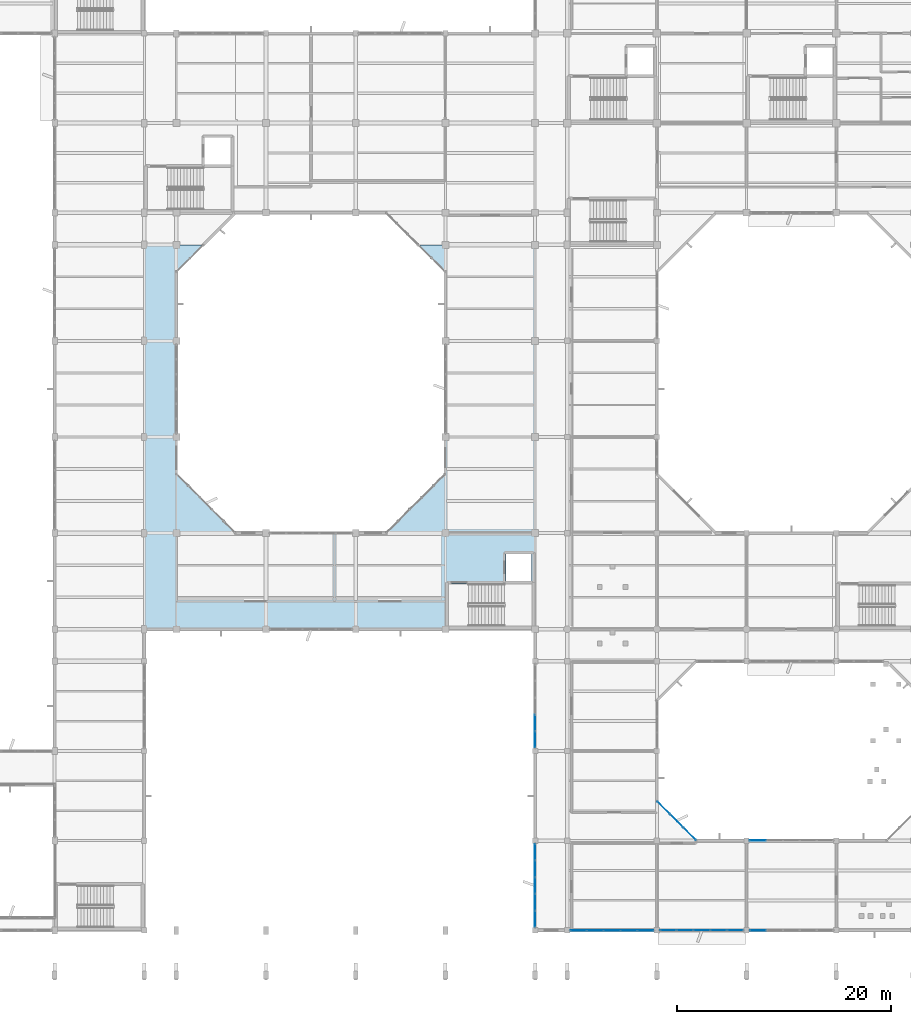
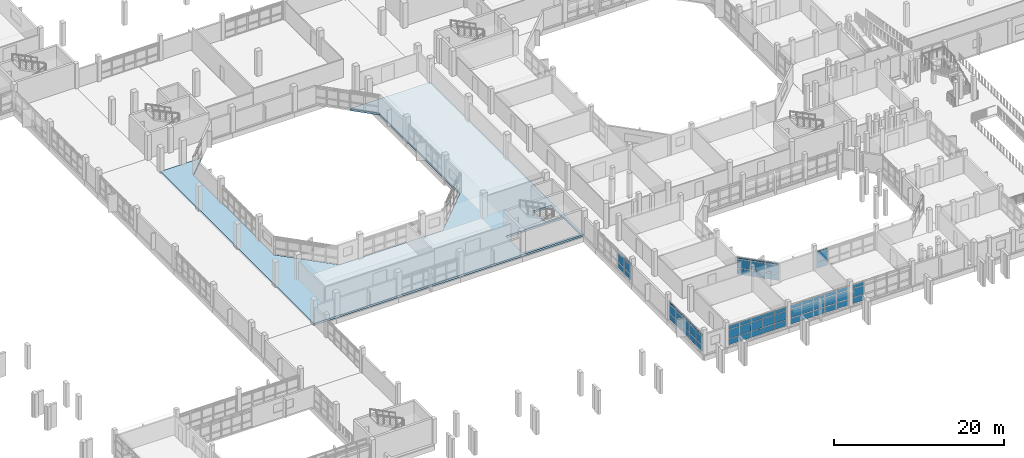
# One storey, part 53 of 104: 65 plates, 1 slab, 7 elements without a shape of their own.
"""IFC4 building model written with IfcOpenShell, lengths in metres."""

from ifc_helpers import new_model, si_unit, direction, frame, origin, origin_2d, place, context, subcontext, project, spatial, polyline, rectangle, outline, extrude, material, layer, layer_set, type_object, element, aggregate, save


model = new_model("IFC4")

# Units and contexts
model_context = context("Model", 3, precision=1e-05, world=origin(), true_north=direction((0.0, 1.0)))
body_context = subcontext(model_context, "Body", "Model", "MODEL_VIEW")
ifc_project = project(units=[si_unit("LENGTHUNIT", "METRE"), si_unit("AREAUNIT", "SQUARE_METRE"), si_unit("VOLUMEUNIT", "CUBIC_METRE"), si_unit("PLANEANGLEUNIT", "RADIAN"), si_unit("MASSUNIT", "GRAM", prefix="KILO")], contexts=[model_context])

# Site, building, storey
site_placement = place(None, origin())
site = spatial("IfcSite", under=ifc_project, at=site_placement, CompositionType="ELEMENT")
building_placement = place(site_placement, origin())
building = spatial("IfcBuilding", under=site, at=building_placement, Name="Vanh Quang Courtyard School", CompositionType="ELEMENT")
storey_placement = place(building_placement, frame((0.0, 0.0, 4.199951171875)))
storey = spatial("IfcBuildingStorey", under=building, at=storey_placement, Name="L01", CompositionType="ELEMENT", Elevation=4.199951171875)

# Curtain wall, plates
ifc_material_1 = material(Name="Thermally broken aluminium unitised curtain wall", Category="aluminium")
curtain_wall_type_1 = type_object("IfcCurtainWallType", Name="CW-SYS-29", PredefinedType="NOTDEFINED", material=ifc_material_1)
curtain_wall_1_placement = place(storey_placement, origin())
curtain_wall_1 = element("IfcCurtainWall", 1, at=curtain_wall_1_placement, inside=storey, type_object=curtain_wall_type_1, Name="Curtain Wall CW-29 (L01)", PredefinedType="NOTDEFINED")
ifc_material_2 = material(Name="Low-E laminated double glazing", Category="glass")
ifc_layer_1 = layer(ifc_material_2, 0.028076171875)
ifc_layer_set_1 = layer_set([ifc_layer_1], Name="Low-E laminated double glazing")
plate_type_1 = type_object("IfcPlateType", Name="CW-PNL-28", PredefinedType="CURTAIN_PANEL", material=ifc_layer_set_1)
plate_1_placement = place(storey_placement, frame((93.133544921875, 4.199951171875, 0.080078125), z_axis=(0.0, 0.0, 1.0), x_axis=(-1.0, 0.0, 0.0)))
plate_1 = element("IfcPlate", 2, at=plate_1_placement, type_object=plate_type_1, Name="CW-29 panel 1.1", PredefinedType="CURTAIN_PANEL", context=body_context, shape_type="SweptSolid", body=[
    extrude(rectangle(XDim=1.456787109375, YDim=0.028076171875, at=origin_2d()), origin(), (0.0, 0.0, 1.0), 0.830078125),
])
plate_2_placement = place(storey_placement, frame((93.133544921875, 4.199951171875, 0.990234375), z_axis=(0.0, 0.0, 1.0), x_axis=(-1.0, 0.0, 0.0)))
plate_2 = element("IfcPlate", 3, at=plate_2_placement, type_object=plate_type_1, Name="CW-29 panel 1.2", PredefinedType="CURTAIN_PANEL", context=body_context, shape_type="SweptSolid", body=[
    extrude(rectangle(XDim=1.456787109375, YDim=0.028076171875, at=origin_2d()), origin(), (0.0, 0.0, 1.0), 1.219970703125),
])
plate_3_placement = place(storey_placement, frame((93.133544921875, 4.199951171875, 2.2900390625), z_axis=(0.0, 0.0, 1.0), x_axis=(-1.0, 0.0, 0.0)))
plate_3 = element("IfcPlate", 4, at=plate_3_placement, type_object=plate_type_1, Name="CW-29 panel 1.3", PredefinedType="CURTAIN_PANEL", context=body_context, shape_type="SweptSolid", body=[
    extrude(rectangle(XDim=1.456787109375, YDim=0.028076171875, at=origin_2d()), origin(), (0.0, 0.0, 1.0), 0.5),
])
plate_4_placement = place(storey_placement, frame((91.576904296875, 4.199951171875, 0.080078125), z_axis=(0.0, 0.0, 1.0), x_axis=(-1.0, 0.0, 0.0)))
plate_4 = element("IfcPlate", 5, at=plate_4_placement, type_object=plate_type_1, Name="CW-29 panel 2.1", PredefinedType="CURTAIN_PANEL", context=body_context, shape_type="SweptSolid", body=[
    extrude(rectangle(XDim=1.496826171875, YDim=0.028076171875, at=origin_2d()), origin(), (0.0, 0.0, 1.0), 0.830078125),
])
plate_5_placement = place(storey_placement, frame((91.576904296875, 4.199951171875, 0.990234375), z_axis=(0.0, 0.0, 1.0), x_axis=(-1.0, 0.0, 0.0)))
plate_5 = element("IfcPlate", 6, at=plate_5_placement, type_object=plate_type_1, Name="CW-29 panel 2.2", PredefinedType="CURTAIN_PANEL", context=body_context, shape_type="SweptSolid", body=[
    extrude(rectangle(XDim=1.496826171875, YDim=0.028076171875, at=origin_2d()), origin(), (0.0, 0.0, 1.0), 1.219970703125),
])
plate_6_placement = place(storey_placement, frame((91.576904296875, 4.199951171875, 2.2900390625), z_axis=(0.0, 0.0, 1.0), x_axis=(-1.0, 0.0, 0.0)))
plate_6 = element("IfcPlate", 7, at=plate_6_placement, type_object=plate_type_1, Name="CW-29 panel 2.3", PredefinedType="CURTAIN_PANEL", context=body_context, shape_type="SweptSolid", body=[
    extrude(rectangle(XDim=1.496826171875, YDim=0.028076171875, at=origin_2d()), origin(), (0.0, 0.0, 1.0), 0.5),
])
plate_7_placement = place(storey_placement, frame((90.0, 4.199951171875, 0.080078125), z_axis=(0.0, 0.0, 1.0), x_axis=(-1.0, 0.0, 0.0)))
plate_7 = element("IfcPlate", 8, at=plate_7_placement, type_object=plate_type_1, Name="CW-29 panel 3.1", PredefinedType="CURTAIN_PANEL", context=body_context, shape_type="SweptSolid", body=[
    extrude(rectangle(XDim=1.496826171875, YDim=0.028076171875, at=origin_2d()), origin(), (0.0, 0.0, 1.0), 0.830078125),
])
plate_8_placement = place(storey_placement, frame((90.0, 4.199951171875, 0.990234375), z_axis=(0.0, 0.0, 1.0), x_axis=(-1.0, 0.0, 0.0)))
plate_8 = element("IfcPlate", 9, at=plate_8_placement, type_object=plate_type_1, Name="CW-29 panel 3.2", PredefinedType="CURTAIN_PANEL", context=body_context, shape_type="SweptSolid", body=[
    extrude(rectangle(XDim=1.496826171875, YDim=0.028076171875, at=origin_2d()), origin(), (0.0, 0.0, 1.0), 1.219970703125),
])
plate_9_placement = place(storey_placement, frame((90.0, 4.199951171875, 2.2900390625), z_axis=(0.0, 0.0, 1.0), x_axis=(-1.0, 0.0, 0.0)))
plate_9 = element("IfcPlate", 10, at=plate_9_placement, type_object=plate_type_1, Name="CW-29 panel 3.3", PredefinedType="CURTAIN_PANEL", context=body_context, shape_type="SweptSolid", body=[
    extrude(rectangle(XDim=1.496826171875, YDim=0.028076171875, at=origin_2d()), origin(), (0.0, 0.0, 1.0), 0.5),
])
plate_10_placement = place(storey_placement, frame((88.423095703125, 4.199951171875, 0.080078125), z_axis=(0.0, 0.0, 1.0), x_axis=(-1.0, 0.0, 0.0)))
plate_10 = element("IfcPlate", 11, at=plate_10_placement, type_object=plate_type_1, Name="CW-29 panel 4.1", PredefinedType="CURTAIN_PANEL", context=body_context, shape_type="SweptSolid", body=[
    extrude(rectangle(XDim=1.496826171875, YDim=0.028076171875, at=origin_2d()), origin(), (0.0, 0.0, 1.0), 0.830078125),
])
plate_11_placement = place(storey_placement, frame((88.423095703125, 4.199951171875, 0.990234375), z_axis=(0.0, 0.0, 1.0), x_axis=(-1.0, 0.0, 0.0)))
plate_11 = element("IfcPlate", 12, at=plate_11_placement, type_object=plate_type_1, Name="CW-29 panel 4.2", PredefinedType="CURTAIN_PANEL", context=body_context, shape_type="SweptSolid", body=[
    extrude(rectangle(XDim=1.496826171875, YDim=0.028076171875, at=origin_2d()), origin(), (0.0, 0.0, 1.0), 1.219970703125),
])
plate_12_placement = place(storey_placement, frame((88.423095703125, 4.199951171875, 2.2900390625), z_axis=(0.0, 0.0, 1.0), x_axis=(-1.0, 0.0, 0.0)))
plate_12 = element("IfcPlate", 13, at=plate_12_placement, type_object=plate_type_1, Name="CW-29 panel 4.3", PredefinedType="CURTAIN_PANEL", context=body_context, shape_type="SweptSolid", body=[
    extrude(rectangle(XDim=1.496826171875, YDim=0.028076171875, at=origin_2d()), origin(), (0.0, 0.0, 1.0), 0.5),
])
plate_13_placement = place(storey_placement, frame((86.866455078125, 4.199951171875, 0.080078125), z_axis=(0.0, 0.0, 1.0), x_axis=(-1.0, 0.0, 0.0)))
plate_13 = element("IfcPlate", 14, at=plate_13_placement, type_object=plate_type_1, Name="CW-29 panel 5.1", PredefinedType="CURTAIN_PANEL", context=body_context, shape_type="SweptSolid", body=[
    extrude(rectangle(XDim=1.456787109375, YDim=0.028076171875, at=origin_2d()), origin(), (0.0, 0.0, 1.0), 0.830078125),
])
plate_14_placement = place(storey_placement, frame((86.866455078125, 4.199951171875, 0.990234375), z_axis=(0.0, 0.0, 1.0), x_axis=(-1.0, 0.0, 0.0)))
plate_14 = element("IfcPlate", 15, at=plate_14_placement, type_object=plate_type_1, Name="CW-29 panel 5.2", PredefinedType="CURTAIN_PANEL", context=body_context, shape_type="SweptSolid", body=[
    extrude(rectangle(XDim=1.456787109375, YDim=0.028076171875, at=origin_2d()), origin(), (0.0, 0.0, 1.0), 1.219970703125),
])
plate_15_placement = place(storey_placement, frame((86.866455078125, 4.199951171875, 2.2900390625), z_axis=(0.0, 0.0, 1.0), x_axis=(-1.0, 0.0, 0.0)))
plate_15 = element("IfcPlate", 16, at=plate_15_placement, type_object=plate_type_1, Name="CW-29 panel 5.3", PredefinedType="CURTAIN_PANEL", context=body_context, shape_type="SweptSolid", body=[
    extrude(rectangle(XDim=1.456787109375, YDim=0.028076171875, at=origin_2d()), origin(), (0.0, 0.0, 1.0), 0.5),
])
aggregate(curtain_wall_1, [plate_1, plate_2, plate_3, plate_4, plate_5, plate_6, plate_7, plate_8, plate_9, plate_10, plate_11, plate_12, plate_13, plate_14, plate_15])

curtain_wall_type_2 = type_object("IfcCurtainWallType", Name="CW-SYS-19", PredefinedType="NOTDEFINED", material=ifc_material_1)
curtain_wall_2_placement = place(storey_placement, origin())
curtain_wall_2 = element("IfcCurtainWall", 17, at=curtain_wall_2_placement, inside=storey, type_object=curtain_wall_type_2, Name="Curtain Wall CW-19 (L01)", PredefinedType="NOTDEFINED")
plate_16_placement = place(storey_placement, frame((74.39990234375, 5.263916015625, 0.06982421875), z_axis=(0.0, 0.0, 1.0), x_axis=(0.0, 1.0, 0.0)))
plate_16 = element("IfcPlate", 18, at=plate_16_placement, type_object=plate_type_1, Name="CW-19 panel 1.1", PredefinedType="CURTAIN_PANEL", context=body_context, shape_type="SweptSolid", body=[
    extrude(rectangle(XDim=1.4716796875, YDim=0.028076171875, at=origin_2d()), origin(), (0.0, 0.0, 1.0), 0.844970703125),
])
plate_17_placement = place(storey_placement, frame((74.39990234375, 5.263916015625, 0.985107421875), z_axis=(0.0, 0.0, 1.0), x_axis=(0.0, 1.0, 0.0)))
plate_17 = element("IfcPlate", 19, at=plate_17_placement, type_object=plate_type_1, Name="CW-19 panel 1.2", PredefinedType="CURTAIN_PANEL", context=body_context, shape_type="SweptSolid", body=[
    extrude(rectangle(XDim=1.4716796875, YDim=0.028076171875, at=origin_2d()), origin(), (0.0, 0.0, 1.0), 1.22998046875),
])
plate_18_placement = place(storey_placement, frame((74.39990234375, 5.263916015625, 2.28515625), z_axis=(0.0, 0.0, 1.0), x_axis=(0.0, 1.0, 0.0)))
plate_18 = element("IfcPlate", 20, at=plate_18_placement, type_object=plate_type_1, Name="CW-19 panel 1.3", PredefinedType="CURTAIN_PANEL", context=body_context, shape_type="SweptSolid", body=[
    extrude(rectangle(XDim=1.4716796875, YDim=0.028076171875, at=origin_2d()), origin(), (0.0, 0.0, 1.0), 0.264892578125),
])
plate_19_placement = place(storey_placement, frame((74.39990234375, 6.8232421875, 0.06982421875), z_axis=(0.0, 0.0, 1.0), x_axis=(0.0, 1.0, 0.0)))
plate_19 = element("IfcPlate", 21, at=plate_19_placement, type_object=plate_type_1, Name="CW-19 panel 2.1", PredefinedType="CURTAIN_PANEL", context=body_context, shape_type="SweptSolid", body=[
    extrude(rectangle(XDim=1.5068359375, YDim=0.028076171875, at=origin_2d()), origin(), (0.0, 0.0, 1.0), 0.844970703125),
])
plate_20_placement = place(storey_placement, frame((74.39990234375, 6.8232421875, 0.985107421875), z_axis=(0.0, 0.0, 1.0), x_axis=(0.0, 1.0, 0.0)))
plate_20 = element("IfcPlate", 22, at=plate_20_placement, type_object=plate_type_1, Name="CW-19 panel 2.2", PredefinedType="CURTAIN_PANEL", context=body_context, shape_type="SweptSolid", body=[
    extrude(rectangle(XDim=1.5068359375, YDim=0.028076171875, at=origin_2d()), origin(), (0.0, 0.0, 1.0), 1.22998046875),
])
plate_21_placement = place(storey_placement, frame((74.39990234375, 6.8232421875, 2.28515625), z_axis=(0.0, 0.0, 1.0), x_axis=(0.0, 1.0, 0.0)))
plate_21 = element("IfcPlate", 23, at=plate_21_placement, type_object=plate_type_1, Name="CW-19 panel 2.3", PredefinedType="CURTAIN_PANEL", context=body_context, shape_type="SweptSolid", body=[
    extrude(rectangle(XDim=1.5068359375, YDim=0.028076171875, at=origin_2d()), origin(), (0.0, 0.0, 1.0), 0.264892578125),
])
plate_22_placement = place(storey_placement, frame((74.39990234375, 8.39990234375, 0.06982421875), z_axis=(0.0, 0.0, 1.0), x_axis=(0.0, 1.0, 0.0)))
plate_22 = element("IfcPlate", 24, at=plate_22_placement, type_object=plate_type_1, Name="CW-19 panel 3.1", PredefinedType="CURTAIN_PANEL", context=body_context, shape_type="SweptSolid", body=[
    extrude(rectangle(XDim=1.5068359375, YDim=0.028076171875, at=origin_2d()), origin(), (0.0, 0.0, 1.0), 0.844970703125),
])
plate_23_placement = place(storey_placement, frame((74.39990234375, 8.39990234375, 0.985107421875), z_axis=(0.0, 0.0, 1.0), x_axis=(0.0, 1.0, 0.0)))
plate_23 = element("IfcPlate", 25, at=plate_23_placement, type_object=plate_type_1, Name="CW-19 panel 3.2", PredefinedType="CURTAIN_PANEL", context=body_context, shape_type="SweptSolid", body=[
    extrude(rectangle(XDim=1.5068359375, YDim=0.028076171875, at=origin_2d()), origin(), (0.0, 0.0, 1.0), 1.22998046875),
])
plate_24_placement = place(storey_placement, frame((74.39990234375, 8.39990234375, 2.28515625), z_axis=(0.0, 0.0, 1.0), x_axis=(0.0, 1.0, 0.0)))
plate_24 = element("IfcPlate", 26, at=plate_24_placement, type_object=plate_type_1, Name="CW-19 panel 3.3", PredefinedType="CURTAIN_PANEL", context=body_context, shape_type="SweptSolid", body=[
    extrude(rectangle(XDim=1.5068359375, YDim=0.028076171875, at=origin_2d()), origin(), (0.0, 0.0, 1.0), 0.264892578125),
])
plate_25_placement = place(storey_placement, frame((74.39990234375, 9.976806640625, 0.06982421875), z_axis=(0.0, 0.0, 1.0), x_axis=(0.0, 1.0, 0.0)))
plate_25 = element("IfcPlate", 27, at=plate_25_placement, type_object=plate_type_1, Name="CW-19 panel 4.1", PredefinedType="CURTAIN_PANEL", context=body_context, shape_type="SweptSolid", body=[
    extrude(rectangle(XDim=1.5068359375, YDim=0.028076171875, at=origin_2d()), origin(), (0.0, 0.0, 1.0), 0.844970703125),
])
plate_26_placement = place(storey_placement, frame((74.39990234375, 9.976806640625, 0.985107421875), z_axis=(0.0, 0.0, 1.0), x_axis=(0.0, 1.0, 0.0)))
plate_26 = element("IfcPlate", 28, at=plate_26_placement, type_object=plate_type_1, Name="CW-19 panel 4.2", PredefinedType="CURTAIN_PANEL", context=body_context, shape_type="SweptSolid", body=[
    extrude(rectangle(XDim=1.5068359375, YDim=0.028076171875, at=origin_2d()), origin(), (0.0, 0.0, 1.0), 1.22998046875),
])
plate_27_placement = place(storey_placement, frame((74.39990234375, 9.976806640625, 2.28515625), z_axis=(0.0, 0.0, 1.0), x_axis=(0.0, 1.0, 0.0)))
plate_27 = element("IfcPlate", 29, at=plate_27_placement, type_object=plate_type_1, Name="CW-19 panel 4.3", PredefinedType="CURTAIN_PANEL", context=body_context, shape_type="SweptSolid", body=[
    extrude(rectangle(XDim=1.5068359375, YDim=0.028076171875, at=origin_2d()), origin(), (0.0, 0.0, 1.0), 0.264892578125),
])
plate_28_placement = place(storey_placement, frame((74.39990234375, 11.5361328125, 0.06982421875), z_axis=(0.0, 0.0, 1.0), x_axis=(0.0, 1.0, 0.0)))
plate_28 = element("IfcPlate", 30, at=plate_28_placement, type_object=plate_type_1, Name="CW-19 panel 5.1", PredefinedType="CURTAIN_PANEL", context=body_context, shape_type="SweptSolid", body=[
    extrude(rectangle(XDim=1.4716796875, YDim=0.028076171875, at=origin_2d()), origin(), (0.0, 0.0, 1.0), 0.844970703125),
])
plate_29_placement = place(storey_placement, frame((74.39990234375, 11.5361328125, 0.985107421875), z_axis=(0.0, 0.0, 1.0), x_axis=(0.0, 1.0, 0.0)))
plate_29 = element("IfcPlate", 31, at=plate_29_placement, type_object=plate_type_1, Name="CW-19 panel 5.2", PredefinedType="CURTAIN_PANEL", context=body_context, shape_type="SweptSolid", body=[
    extrude(rectangle(XDim=1.4716796875, YDim=0.028076171875, at=origin_2d()), origin(), (0.0, 0.0, 1.0), 1.22998046875),
])
plate_30_placement = place(storey_placement, frame((74.39990234375, 11.5361328125, 2.28515625), z_axis=(0.0, 0.0, 1.0), x_axis=(0.0, 1.0, 0.0)))
plate_30 = element("IfcPlate", 32, at=plate_30_placement, type_object=plate_type_1, Name="CW-19 panel 5.3", PredefinedType="CURTAIN_PANEL", context=body_context, shape_type="SweptSolid", body=[
    extrude(rectangle(XDim=1.4716796875, YDim=0.028076171875, at=origin_2d()), origin(), (0.0, 0.0, 1.0), 0.264892578125),
])
aggregate(curtain_wall_2, [plate_16, plate_17, plate_18, plate_19, plate_20, plate_21, plate_22, plate_23, plate_24, plate_25, plate_26, plate_27, plate_28, plate_29, plate_30])

curtain_wall_type_3 = type_object("IfcCurtainWallType", Name="CW-SYS-37", PredefinedType="NOTDEFINED", material=ifc_material_1)
curtain_wall_3_placement = place(storey_placement, origin())
curtain_wall_3 = element("IfcCurtainWall", 33, at=curtain_wall_3_placement, inside=storey, type_object=curtain_wall_type_3, Name="Curtain Wall CW-37 (L01)", PredefinedType="NOTDEFINED")
plate_31_placement = place(storey_placement, frame((86.43017578125, 15.665771484375, 0.080078125), z_axis=(0.0, 0.0, 1.0), x_axis=(0.707106781187, -0.707106781187, 0.0)))
plate_31 = element("IfcPlate", 34, at=plate_31_placement, type_object=plate_type_1, Name="CW-37 panel 1.1", PredefinedType="CURTAIN_PANEL", context=body_context, shape_type="SweptSolid", body=[
    extrude(rectangle(XDim=1.622314453125, YDim=0.028076171875, at=origin_2d()), origin(), (0.0, 0.0, 1.0), 0.830078125),
])
plate_32_placement = place(storey_placement, frame((86.43017578125, 15.665771484375, 0.990234375), z_axis=(0.0, 0.0, 1.0), x_axis=(0.707106781187, -0.707106781187, 0.0)))
plate_32 = element("IfcPlate", 35, at=plate_32_placement, type_object=plate_type_1, Name="CW-37 panel 1.2", PredefinedType="CURTAIN_PANEL", context=body_context, shape_type="SweptSolid", body=[
    extrude(rectangle(XDim=1.622314453125, YDim=0.028076171875, at=origin_2d()), origin(), (0.0, 0.0, 1.0), 1.219970703125),
])
plate_33_placement = place(storey_placement, frame((86.43017578125, 15.665771484375, 2.2900390625), z_axis=(0.0, 0.0, 1.0), x_axis=(0.707106781187, -0.707106781187, 0.0)))
plate_33 = element("IfcPlate", 36, at=plate_33_placement, type_object=plate_type_1, Name="CW-37 panel 1.3", PredefinedType="CURTAIN_PANEL", context=body_context, shape_type="SweptSolid", body=[
    extrude(rectangle(XDim=1.622314453125, YDim=0.028076171875, at=origin_2d()), origin(), (0.0, 0.0, 1.0), 0.2099609375),
])
plate_34_placement = place(storey_placement, frame((87.64794921875, 14.447998046875, 0.080078125), z_axis=(0.0, 0.0, 1.0), x_axis=(0.707106781187, -0.707106781187, 0.0)))
plate_34 = element("IfcPlate", 37, at=plate_34_placement, type_object=plate_type_1, Name="CW-37 panel 2.1", PredefinedType="CURTAIN_PANEL", context=body_context, shape_type="SweptSolid", body=[
    extrude(rectangle(XDim=1.662353515625, YDim=0.028076171875, at=origin_2d()), origin(), (0.0, 0.0, 1.0), 0.830078125),
])
plate_35_placement = place(storey_placement, frame((87.64794921875, 14.447998046875, 0.990234375), z_axis=(0.0, 0.0, 1.0), x_axis=(0.707106781187, -0.707106781187, 0.0)))
plate_35 = element("IfcPlate", 38, at=plate_35_placement, type_object=plate_type_1, Name="CW-37 panel 2.2", PredefinedType="CURTAIN_PANEL", context=body_context, shape_type="SweptSolid", body=[
    extrude(rectangle(XDim=1.662353515625, YDim=0.028076171875, at=origin_2d()), origin(), (0.0, 0.0, 1.0), 1.219970703125),
])
plate_36_placement = place(storey_placement, frame((87.64794921875, 14.447998046875, 2.2900390625), z_axis=(0.0, 0.0, 1.0), x_axis=(0.707106781187, -0.707106781187, 0.0)))
plate_36 = element("IfcPlate", 39, at=plate_36_placement, type_object=plate_type_1, Name="CW-37 panel 2.3", PredefinedType="CURTAIN_PANEL", context=body_context, shape_type="SweptSolid", body=[
    extrude(rectangle(XDim=1.662353515625, YDim=0.028076171875, at=origin_2d()), origin(), (0.0, 0.0, 1.0), 0.2099609375),
])
plate_37_placement = place(storey_placement, frame((88.865966796875, 13.230224609375, 0.080078125), z_axis=(0.0, 0.0, 1.0), x_axis=(0.707106781187, -0.707106781187, 0.0)))
plate_37 = element("IfcPlate", 40, at=plate_37_placement, type_object=plate_type_1, Name="CW-37 panel 3.1", PredefinedType="CURTAIN_PANEL", context=body_context, shape_type="SweptSolid", body=[
    extrude(rectangle(XDim=1.622314453125, YDim=0.028076171875, at=origin_2d()), origin(), (0.0, 0.0, 1.0), 0.830078125),
])
plate_38_placement = place(storey_placement, frame((88.865966796875, 13.230224609375, 0.990234375), z_axis=(0.0, 0.0, 1.0), x_axis=(0.707106781187, -0.707106781187, 0.0)))
plate_38 = element("IfcPlate", 41, at=plate_38_placement, type_object=plate_type_1, Name="CW-37 panel 3.2", PredefinedType="CURTAIN_PANEL", context=body_context, shape_type="SweptSolid", body=[
    extrude(rectangle(XDim=1.622314453125, YDim=0.028076171875, at=origin_2d()), origin(), (0.0, 0.0, 1.0), 1.219970703125),
])
plate_39_placement = place(storey_placement, frame((88.865966796875, 13.230224609375, 2.2900390625), z_axis=(0.0, 0.0, 1.0), x_axis=(0.707106781187, -0.707106781187, 0.0)))
plate_39 = element("IfcPlate", 42, at=plate_39_placement, type_object=plate_type_1, Name="CW-37 panel 3.3", PredefinedType="CURTAIN_PANEL", context=body_context, shape_type="SweptSolid", body=[
    extrude(rectangle(XDim=1.622314453125, YDim=0.028076171875, at=origin_2d()), origin(), (0.0, 0.0, 1.0), 0.2099609375),
])
aggregate(curtain_wall_3, [plate_31, plate_32, plate_33, plate_34, plate_35, plate_36, plate_37, plate_38, plate_39])

curtain_wall_type_4 = type_object("IfcCurtainWallType", Name="CW-SYS-28", PredefinedType="NOTDEFINED", material=ifc_material_1)
curtain_wall_4_placement = place(storey_placement, origin())
curtain_wall_4 = element("IfcCurtainWall", 43, at=curtain_wall_4_placement, inside=storey, type_object=curtain_wall_type_4, Name="Curtain Wall CW-28 (L01)", PredefinedType="NOTDEFINED")
ifc_layer_2 = layer(ifc_material_2, 0.031982421875)
ifc_layer_set_2 = layer_set([ifc_layer_2], Name="Low-E laminated double glazing")
plate_type_2 = type_object("IfcPlateType", Name="CW-PNL-32", PredefinedType="CURTAIN_PANEL", material=ifc_layer_set_2)
plate_40_placement = place(storey_placement, frame((95.263916015625, 4.199951171875, 0.06982421875), z_axis=(0.0, 0.0, 1.0), x_axis=(-1.0, 0.0, 0.0)))
plate_40 = element("IfcPlate", 44, at=plate_40_placement, type_object=plate_type_2, Name="CW-28 panel 5.1", PredefinedType="CURTAIN_PANEL", context=body_context, shape_type="SweptSolid", body=[
    extrude(rectangle(XDim=1.4716796875, YDim=0.031982421875, at=origin_2d()), origin(), (0.0, 0.0, 1.0), 0.844970703125),
])
plate_41_placement = place(storey_placement, frame((95.263916015625, 4.199951171875, 0.985107421875), z_axis=(0.0, 0.0, 1.0), x_axis=(-1.0, 0.0, 0.0)))
plate_41 = element("IfcPlate", 45, at=plate_41_placement, type_object=plate_type_2, Name="CW-28 panel 5.2", PredefinedType="CURTAIN_PANEL", context=body_context, shape_type="SweptSolid", body=[
    extrude(rectangle(XDim=1.4716796875, YDim=0.031982421875, at=origin_2d()), origin(), (0.0, 0.0, 1.0), 1.22998046875),
])
plate_42_placement = place(storey_placement, frame((95.263916015625, 4.199951171875, 2.284912109375), z_axis=(0.0, 0.0, 1.0), x_axis=(-1.0, 0.0, 0.0)))
plate_42 = element("IfcPlate", 46, at=plate_42_placement, type_object=plate_type_2, Name="CW-28 panel 5.3", PredefinedType="CURTAIN_PANEL", context=body_context, shape_type="SweptSolid", body=[
    extrude(rectangle(XDim=1.4716796875, YDim=0.031982421875, at=origin_2d()), origin(), (0.0, 0.0, 1.0), 0.47509765625),
])
aggregate(curtain_wall_4, [plate_40, plate_41, plate_42])

curtain_wall_5_placement = place(storey_placement, origin())
curtain_wall_5 = element("IfcCurtainWall", 47, at=curtain_wall_5_placement, inside=storey, type_object=curtain_wall_type_1, Name="Curtain Wall CW-29 (L01)", PredefinedType="NOTDEFINED")
plate_43_placement = place(storey_placement, frame((84.738525390625, 4.199951171875, 0.06005859375), z_axis=(0.0, 0.0, 1.0), x_axis=(-1.0, 0.0, 0.0)))
plate_43 = element("IfcPlate", 48, at=plate_43_placement, type_object=plate_type_2, Name="CW-29 panel 1.1", PredefinedType="CURTAIN_PANEL", context=body_context, shape_type="SweptSolid", body=[
    extrude(rectangle(XDim=1.48681640625, YDim=0.031982421875, at=origin_2d()), origin(), (0.0, 0.0, 1.0), 0.860107421875),
])
plate_44_placement = place(storey_placement, frame((84.738525390625, 4.199951171875, 0.97998046875), z_axis=(0.0, 0.0, 1.0), x_axis=(-1.0, 0.0, 0.0)))
plate_44 = element("IfcPlate", 49, at=plate_44_placement, type_object=plate_type_2, Name="CW-29 panel 1.2", PredefinedType="CURTAIN_PANEL", context=body_context, shape_type="SweptSolid", body=[
    extrude(rectangle(XDim=1.48681640625, YDim=0.031982421875, at=origin_2d()), origin(), (0.0, 0.0, 1.0), 1.239990234375),
])
plate_45_placement = place(storey_placement, frame((84.738525390625, 4.199951171875, 2.2802734375), z_axis=(0.0, 0.0, 1.0), x_axis=(-1.0, 0.0, 0.0)))
plate_45 = element("IfcPlate", 50, at=plate_45_placement, type_object=plate_type_2, Name="CW-29 panel 1.3", PredefinedType="CURTAIN_PANEL", context=body_context, shape_type="SweptSolid", body=[
    extrude(rectangle(XDim=1.48681640625, YDim=0.031982421875, at=origin_2d()), origin(), (0.0, 0.0, 1.0), 0.530029296875),
])
plate_46_placement = place(storey_placement, frame((83.1767578125, 4.199951171875, 0.06005859375), z_axis=(0.0, 0.0, 1.0), x_axis=(-1.0, 0.0, 0.0)))
plate_46 = element("IfcPlate", 51, at=plate_46_placement, type_object=plate_type_2, Name="CW-29 panel 2.1", PredefinedType="CURTAIN_PANEL", context=body_context, shape_type="SweptSolid", body=[
    extrude(rectangle(XDim=1.516845703125, YDim=0.031982421875, at=origin_2d()), origin(), (0.0, 0.0, 1.0), 0.860107421875),
])
plate_47_placement = place(storey_placement, frame((83.1767578125, 4.199951171875, 0.97998046875), z_axis=(0.0, 0.0, 1.0), x_axis=(-1.0, 0.0, 0.0)))
plate_47 = element("IfcPlate", 52, at=plate_47_placement, type_object=plate_type_2, Name="CW-29 panel 2.2", PredefinedType="CURTAIN_PANEL", context=body_context, shape_type="SweptSolid", body=[
    extrude(rectangle(XDim=1.516845703125, YDim=0.031982421875, at=origin_2d()), origin(), (0.0, 0.0, 1.0), 1.239990234375),
])
plate_48_placement = place(storey_placement, frame((83.1767578125, 4.199951171875, 2.2802734375), z_axis=(0.0, 0.0, 1.0), x_axis=(-1.0, 0.0, 0.0)))
plate_48 = element("IfcPlate", 53, at=plate_48_placement, type_object=plate_type_2, Name="CW-29 panel 2.3", PredefinedType="CURTAIN_PANEL", context=body_context, shape_type="SweptSolid", body=[
    extrude(rectangle(XDim=1.516845703125, YDim=0.031982421875, at=origin_2d()), origin(), (0.0, 0.0, 1.0), 0.530029296875),
])
plate_49_placement = place(storey_placement, frame((81.60009765625, 4.199951171875, 0.06005859375), z_axis=(0.0, 0.0, 1.0), x_axis=(-1.0, 0.0, 0.0)))
plate_49 = element("IfcPlate", 54, at=plate_49_placement, type_object=plate_type_2, Name="CW-29 panel 3.1", PredefinedType="CURTAIN_PANEL", context=body_context, shape_type="SweptSolid", body=[
    extrude(rectangle(XDim=1.516845703125, YDim=0.031982421875, at=origin_2d()), origin(), (0.0, 0.0, 1.0), 0.860107421875),
])
plate_50_placement = place(storey_placement, frame((81.60009765625, 4.199951171875, 0.97998046875), z_axis=(0.0, 0.0, 1.0), x_axis=(-1.0, 0.0, 0.0)))
plate_50 = element("IfcPlate", 55, at=plate_50_placement, type_object=plate_type_2, Name="CW-29 panel 3.2", PredefinedType="CURTAIN_PANEL", context=body_context, shape_type="SweptSolid", body=[
    extrude(rectangle(XDim=1.516845703125, YDim=0.031982421875, at=origin_2d()), origin(), (0.0, 0.0, 1.0), 1.239990234375),
])
plate_51_placement = place(storey_placement, frame((81.60009765625, 4.199951171875, 2.2802734375), z_axis=(0.0, 0.0, 1.0), x_axis=(-1.0, 0.0, 0.0)))
plate_51 = element("IfcPlate", 56, at=plate_51_placement, type_object=plate_type_2, Name="CW-29 panel 3.3", PredefinedType="CURTAIN_PANEL", context=body_context, shape_type="SweptSolid", body=[
    extrude(rectangle(XDim=1.516845703125, YDim=0.031982421875, at=origin_2d()), origin(), (0.0, 0.0, 1.0), 0.530029296875),
])
plate_52_placement = place(storey_placement, frame((80.023193359375, 4.199951171875, 0.06005859375), z_axis=(0.0, 0.0, 1.0), x_axis=(-1.0, 0.0, 0.0)))
plate_52 = element("IfcPlate", 57, at=plate_52_placement, type_object=plate_type_2, Name="CW-29 panel 4.1", PredefinedType="CURTAIN_PANEL", context=body_context, shape_type="SweptSolid", body=[
    extrude(rectangle(XDim=1.516845703125, YDim=0.031982421875, at=origin_2d()), origin(), (0.0, 0.0, 1.0), 0.860107421875),
])
plate_53_placement = place(storey_placement, frame((80.023193359375, 4.199951171875, 0.97998046875), z_axis=(0.0, 0.0, 1.0), x_axis=(-1.0, 0.0, 0.0)))
plate_53 = element("IfcPlate", 58, at=plate_53_placement, type_object=plate_type_2, Name="CW-29 panel 4.2", PredefinedType="CURTAIN_PANEL", context=body_context, shape_type="SweptSolid", body=[
    extrude(rectangle(XDim=1.516845703125, YDim=0.031982421875, at=origin_2d()), origin(), (0.0, 0.0, 1.0), 1.239990234375),
])
plate_54_placement = place(storey_placement, frame((80.023193359375, 4.199951171875, 2.2802734375), z_axis=(0.0, 0.0, 1.0), x_axis=(-1.0, 0.0, 0.0)))
plate_54 = element("IfcPlate", 59, at=plate_54_placement, type_object=plate_type_2, Name="CW-29 panel 4.3", PredefinedType="CURTAIN_PANEL", context=body_context, shape_type="SweptSolid", body=[
    extrude(rectangle(XDim=1.516845703125, YDim=0.031982421875, at=origin_2d()), origin(), (0.0, 0.0, 1.0), 0.530029296875),
])
plate_55_placement = place(storey_placement, frame((78.46142578125, 4.199951171875, 0.06005859375), z_axis=(0.0, 0.0, 1.0), x_axis=(-1.0, 0.0, 0.0)))
plate_55 = element("IfcPlate", 60, at=plate_55_placement, type_object=plate_type_2, Name="CW-29 panel 5.1", PredefinedType="CURTAIN_PANEL", context=body_context, shape_type="SweptSolid", body=[
    extrude(rectangle(XDim=1.48681640625, YDim=0.031982421875, at=origin_2d()), origin(), (0.0, 0.0, 1.0), 0.860107421875),
])
plate_56_placement = place(storey_placement, frame((78.46142578125, 4.199951171875, 0.97998046875), z_axis=(0.0, 0.0, 1.0), x_axis=(-1.0, 0.0, 0.0)))
plate_56 = element("IfcPlate", 61, at=plate_56_placement, type_object=plate_type_2, Name="CW-29 panel 5.2", PredefinedType="CURTAIN_PANEL", context=body_context, shape_type="SweptSolid", body=[
    extrude(rectangle(XDim=1.48681640625, YDim=0.031982421875, at=origin_2d()), origin(), (0.0, 0.0, 1.0), 1.239990234375),
])
plate_57_placement = place(storey_placement, frame((78.46142578125, 4.199951171875, 2.2802734375), z_axis=(0.0, 0.0, 1.0), x_axis=(-1.0, 0.0, 0.0)))
plate_57 = element("IfcPlate", 62, at=plate_57_placement, type_object=plate_type_2, Name="CW-29 panel 5.3", PredefinedType="CURTAIN_PANEL", context=body_context, shape_type="SweptSolid", body=[
    extrude(rectangle(XDim=1.48681640625, YDim=0.031982421875, at=origin_2d()), origin(), (0.0, 0.0, 1.0), 0.530029296875),
])
aggregate(curtain_wall_5, [plate_43, plate_44, plate_45, plate_46, plate_47, plate_48, plate_49, plate_50, plate_51, plate_52, plate_53, plate_54, plate_55, plate_56, plate_57])

curtain_wall_6_placement = place(storey_placement, origin())
curtain_wall_6 = element("IfcCurtainWall", 63, at=curtain_wall_6_placement, inside=storey, type_object=curtain_wall_type_2, Name="Curtain Wall CW-19 (L01)", PredefinedType="NOTDEFINED")
plate_58_placement = place(storey_placement, frame((74.39990234375, 22.06640625, 0.080078125), z_axis=(0.0, 0.0, 1.0), x_axis=(0.0, 1.0, 0.0)))
plate_58 = element("IfcPlate", 64, at=plate_58_placement, type_object=plate_type_2, Name="CW-19 panel 1.1", PredefinedType="CURTAIN_PANEL", context=body_context, shape_type="SweptSolid", body=[
    extrude(rectangle(XDim=1.456787109375, YDim=0.031982421875, at=origin_2d()), origin(), (0.0, 0.0, 1.0), 0.830078125),
])
plate_59_placement = place(storey_placement, frame((74.39990234375, 22.06640625, 0.990234375), z_axis=(0.0, 0.0, 1.0), x_axis=(0.0, 1.0, 0.0)))
plate_59 = element("IfcPlate", 65, at=plate_59_placement, type_object=plate_type_2, Name="CW-19 panel 1.2", PredefinedType="CURTAIN_PANEL", context=body_context, shape_type="SweptSolid", body=[
    extrude(rectangle(XDim=1.456787109375, YDim=0.031982421875, at=origin_2d()), origin(), (0.0, 0.0, 1.0), 1.219970703125),
])
plate_60_placement = place(storey_placement, frame((74.39990234375, 22.06640625, 2.2900390625), z_axis=(0.0, 0.0, 1.0), x_axis=(0.0, 1.0, 0.0)))
plate_60 = element("IfcPlate", 66, at=plate_60_placement, type_object=plate_type_2, Name="CW-19 panel 1.3", PredefinedType="CURTAIN_PANEL", context=body_context, shape_type="SweptSolid", body=[
    extrude(rectangle(XDim=1.456787109375, YDim=0.031982421875, at=origin_2d()), origin(), (0.0, 0.0, 1.0), 0.25),
])
plate_61_placement = place(storey_placement, frame((74.39990234375, 23.623291015625, 0.080078125), z_axis=(0.0, 0.0, 1.0), x_axis=(0.0, 1.0, 0.0)))
plate_61 = element("IfcPlate", 67, at=plate_61_placement, type_object=plate_type_2, Name="CW-19 panel 2.1", PredefinedType="CURTAIN_PANEL", context=body_context, shape_type="SweptSolid", body=[
    extrude(rectangle(XDim=1.496826171875, YDim=0.031982421875, at=origin_2d()), origin(), (0.0, 0.0, 1.0), 0.830078125),
])
plate_62_placement = place(storey_placement, frame((74.39990234375, 23.623291015625, 0.990234375), z_axis=(0.0, 0.0, 1.0), x_axis=(0.0, 1.0, 0.0)))
plate_62 = element("IfcPlate", 68, at=plate_62_placement, type_object=plate_type_2, Name="CW-19 panel 2.2", PredefinedType="CURTAIN_PANEL", context=body_context, shape_type="SweptSolid", body=[
    extrude(rectangle(XDim=1.496826171875, YDim=0.031982421875, at=origin_2d()), origin(), (0.0, 0.0, 1.0), 1.219970703125),
])
aggregate(curtain_wall_6, [plate_58, plate_59, plate_60, plate_61, plate_62])

curtain_wall_7_placement = place(storey_placement, origin())
curtain_wall_7 = element("IfcCurtainWall", 69, at=curtain_wall_7_placement, inside=storey, type_object=curtain_wall_type_2, Name="Curtain Wall CW-19 (L01)", PredefinedType="NOTDEFINED")
plate_63_placement = place(storey_placement, frame((95.261474609375, 12.60009765625, 0.06005859375), z_axis=(0.0, 0.0, 1.0), x_axis=(1.0, 0.0, 0.0)))
plate_63 = element("IfcPlate", 70, at=plate_63_placement, type_object=plate_type_2, Name="CW-19 panel 1.1", PredefinedType="CURTAIN_PANEL", context=body_context, shape_type="SweptSolid", body=[
    extrude(rectangle(XDim=1.48681640625, YDim=0.031982421875, at=origin_2d()), origin(), (0.0, 0.0, 1.0), 0.860107421875),
])
plate_64_placement = place(storey_placement, frame((95.261474609375, 12.60009765625, 0.97998046875), z_axis=(0.0, 0.0, 1.0), x_axis=(1.0, 0.0, 0.0)))
plate_64 = element("IfcPlate", 71, at=plate_64_placement, type_object=plate_type_2, Name="CW-19 panel 1.2", PredefinedType="CURTAIN_PANEL", context=body_context, shape_type="SweptSolid", body=[
    extrude(rectangle(XDim=1.48681640625, YDim=0.031982421875, at=origin_2d()), origin(), (0.0, 0.0, 1.0), 1.239990234375),
])
plate_65_placement = place(storey_placement, frame((95.261474609375, 12.60009765625, 2.2802734375), z_axis=(0.0, 0.0, 1.0), x_axis=(1.0, 0.0, 0.0)))
plate_65 = element("IfcPlate", 72, at=plate_65_placement, type_object=plate_type_2, Name="CW-19 panel 1.3", PredefinedType="CURTAIN_PANEL", context=body_context, shape_type="SweptSolid", body=[
    extrude(rectangle(XDim=1.48681640625, YDim=0.031982421875, at=origin_2d()), origin(), (0.0, 0.0, 1.0), 0.239990234375),
])
aggregate(curtain_wall_7, [plate_63, plate_64, plate_65])

# Slab
ifc_material_3 = material(Name="Concrete C30/37", Category="concrete")
ifc_layer_3 = layer(ifc_material_3, 0.280029296875)
ifc_layer_set_3 = layer_set([ifc_layer_3], Name="Concrete C30/37")
slab_type = type_object("IfcSlabType", Name="SLB-FLR-280", PredefinedType="FLOOR", material=ifc_layer_set_3)
slab_placement = place(storey_placement, frame((0.0, 0.0, -0.280029296875)))
element("IfcSlab", 73, at=slab_placement, inside=storey, type_object=slab_type, Name="Slab SF-02 (L01)", PredefinedType="FLOOR", context=body_context, shape_type="SweptSolid", body=[
    extrude(outline(polyline([(63.4560546875, 68.39990234375), (66.0, 65.85595703125), (66.0, 46.944091796875), (60.4560546875, 41.39990234375), (46.343994140625, 41.39990234375), (40.800048828125, 46.944091796875), (40.800048828125, 65.85595703125), (43.343994140625, 68.39990234375), (37.800048828125, 68.39990234375), (37.800048828125, 32.39990234375), (74.39990234375, 32.39990234375), (74.39990234375, 68.39990234375), (63.4560546875, 68.39990234375)]), holes=[polyline([(74.1201171875, 32.679931640625), (66.280029296875, 32.679931640625), (66.280029296875, 36.639892578125), (74.1201171875, 36.639892578125), (74.1201171875, 32.679931640625)]), polyline([(71.64990234375, 36.919921875), (71.64990234375, 39.469970703125), (74.050048828125, 39.469970703125), (74.050048828125, 36.919921875), (71.64990234375, 36.919921875)])]), origin(), (0.0, 0.0, 1.0), 0.280029296875),
])

save(model, "model.ifc")
